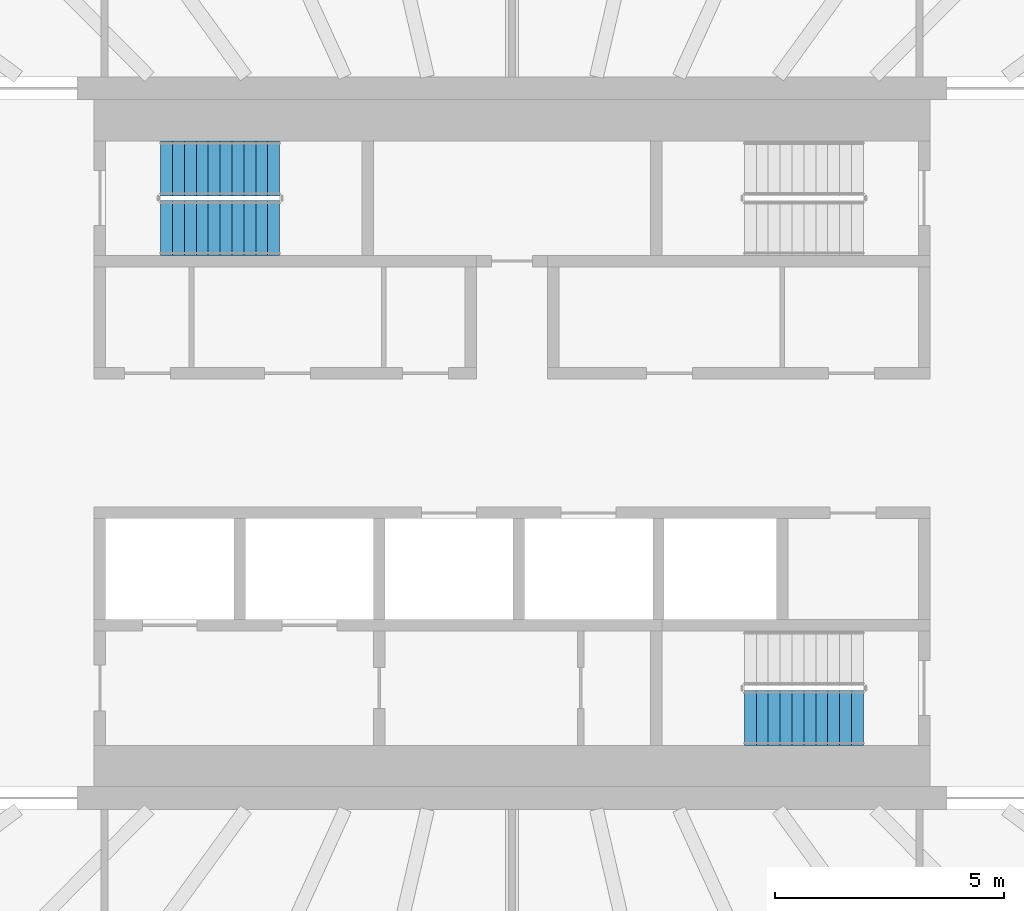
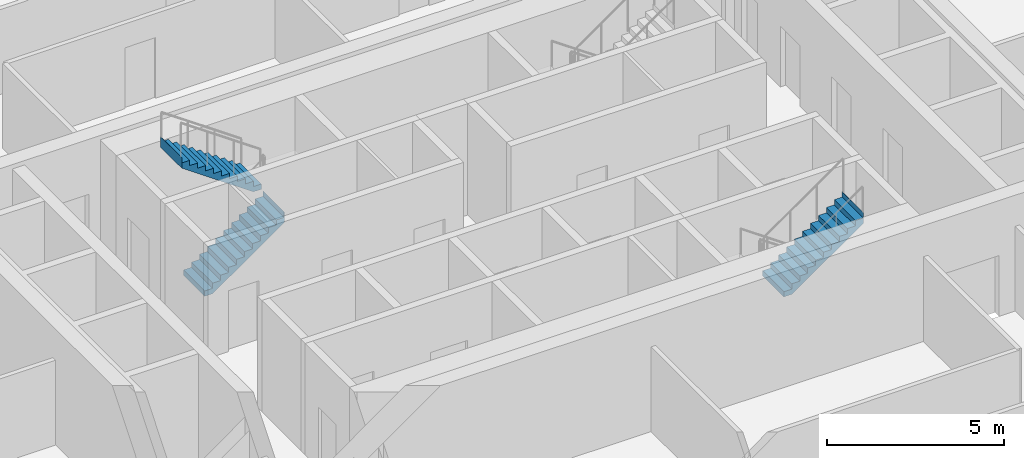
# One storey, part 16 of 23: 3 stair flights, 2 elements without a shape of their own.
"""IFC4 building model written with IfcOpenShell, lengths in metres."""

from ifc_helpers import new_model, si_unit, direction, frame, origin, place, context, subcontext, project, spatial, triangles, material, type_object, element, aggregate, save


model = new_model("IFC4")

# Units and contexts
model_context = context("Model", 3, precision=1e-05, world=origin(), true_north=direction((0.0, 1.0)))
body_context = subcontext(model_context, "Body", "Model", "MODEL_VIEW")
ifc_project = project(units=[si_unit("LENGTHUNIT", "METRE"), si_unit("AREAUNIT", "SQUARE_METRE"), si_unit("VOLUMEUNIT", "CUBIC_METRE"), si_unit("PLANEANGLEUNIT", "RADIAN"), si_unit("MASSUNIT", "GRAM", prefix="KILO")], contexts=[model_context])

# Site, building, storey
site_placement = place(None, origin())
site = spatial("IfcSite", under=ifc_project, at=site_placement, CompositionType="ELEMENT")
building_placement = place(site_placement, origin())
building = spatial("IfcBuilding", under=site, at=building_placement, Name="Sahrelin Media Tower", CompositionType="ELEMENT")
storey_placement = place(building_placement, frame((0.0, 0.0, 161.60009765625)))
storey = spatial("IfcBuildingStorey", under=building, at=storey_placement, Name="L33", CompositionType="ELEMENT", Elevation=161.60009765625)

# Stair, stair flights
ifc_material = material(Name="Concrete C40/50", Category="concrete")
stair_type = type_object("IfcStairType", Name="Exit stair 1200", PredefinedType="HALF_TURN_STAIR", material=ifc_material)
placement = place(storey_placement, origin())
stair_1 = element("IfcStair", 1, at=placement, inside=storey, type_object=stair_type, Name="L33 Exit stair ST1", PredefinedType="HALF_TURN_STAIR")
stair_flight_type = type_object("IfcStairFlightType", Name="Stair flight 1200", PredefinedType="STRAIGHT", material=ifc_material)
stair_flight_1_placement = place(storey_placement, frame((-7.675048828125, 4.699951171875, 0.0), z_axis=(0.0, 0.0, 1.0), x_axis=(1.0, 0.0, 0.0)))
stair_flight_1 = element("IfcStairFlight", 2, at=stair_flight_1_placement, type_object=stair_flight_type, Name="ST1 flight 1", NumberOfRisers=11, NumberOfTreads=10, PredefinedType="STRAIGHT", RiserHeight=0.181818182, TreadLength=0.26, context=body_context, shape_type="Tessellation", body=[
    triangles([(0.261474609375, 0.60009765625, 0.0), (0.261474609375, 0.300048828125, 0.0), (0.261474609375, 0.0, 0.0), (0.261474609375, -0.300048828125, 0.0), (0.261474609375, -0.60009765625, 0.0), (2.60009765625, 0.60009765625, 1.63525390625), (2.60009765625, 0.300048828125, 1.63525390625), (2.60009765625, 0.0, 1.63525390625), (2.60009765625, -0.300048828125, 1.63525390625), (2.60009765625, -0.60009765625, 1.63525390625), (2.60009765625, 0.60009765625, 2.0), (2.60009765625, 0.300048828125, 2.0), (2.60009765625, 0.0, 2.0), (2.60009765625, -0.300048828125, 2.0), (2.60009765625, -0.60009765625, 2.0), (2.597900390625, 0.60009765625, 2.0), (2.597900390625, 0.300048828125, 2.0), (2.597900390625, 0.0, 2.0), (2.597900390625, -0.300048828125, 2.0), (2.597900390625, -0.60009765625, 2.0), (2.597900390625, 0.60009765625, 1.818115234375), (2.597900390625, 0.300048828125, 1.818115234375), (2.597900390625, 0.0, 1.818115234375), (2.597900390625, -0.300048828125, 1.818115234375), (2.597900390625, -0.60009765625, 1.818115234375), (2.340087890625, 0.60009765625, 1.818115234375), (2.340087890625, 0.300048828125, 1.818115234375), (2.340087890625, 0.0, 1.818115234375), (2.340087890625, -0.300048828125, 1.818115234375), (2.340087890625, -0.60009765625, 1.818115234375), (2.340087890625, 0.60009765625, 1.636474609375), (2.340087890625, 0.300048828125, 1.636474609375), (2.340087890625, 0.0, 1.636474609375), (2.340087890625, -0.300048828125, 1.636474609375), (2.340087890625, -0.60009765625, 1.636474609375), (2.080078125, 0.60009765625, 1.636474609375), (2.080078125, 0.300048828125, 1.636474609375), (2.080078125, 0.0, 1.636474609375), (2.080078125, -0.300048828125, 1.636474609375), (2.080078125, -0.60009765625, 1.636474609375), (2.080078125, 0.60009765625, 1.45458984375), (2.080078125, 0.300048828125, 1.45458984375), (2.080078125, 0.0, 1.45458984375), (2.080078125, -0.300048828125, 1.45458984375), (2.080078125, -0.60009765625, 1.45458984375), (1.820068359375, 0.60009765625, 1.45458984375), (1.820068359375, 0.300048828125, 1.45458984375), (1.820068359375, 0.0, 1.45458984375), (1.820068359375, -0.300048828125, 1.45458984375), (1.820068359375, -0.60009765625, 1.45458984375), (1.820068359375, 0.60009765625, 1.272705078125), (1.820068359375, 0.300048828125, 1.272705078125), (1.820068359375, 0.0, 1.272705078125), (1.820068359375, -0.300048828125, 1.272705078125), (1.820068359375, -0.60009765625, 1.272705078125), (1.56005859375, 0.60009765625, 1.272705078125), (1.56005859375, 0.300048828125, 1.272705078125), (1.56005859375, 0.0, 1.272705078125), (1.56005859375, -0.300048828125, 1.272705078125), (1.56005859375, -0.60009765625, 1.272705078125), (1.56005859375, 0.60009765625, 1.0908203125), (1.56005859375, 0.300048828125, 1.0908203125), (1.56005859375, 0.0, 1.0908203125), (1.56005859375, -0.300048828125, 1.0908203125), (1.56005859375, -0.60009765625, 1.0908203125), (1.300048828125, 0.60009765625, 1.0908203125), (1.300048828125, 0.300048828125, 1.0908203125), (1.300048828125, 0.0, 1.0908203125), (1.300048828125, -0.300048828125, 1.0908203125), (1.300048828125, -0.60009765625, 1.0908203125), (1.300048828125, 0.60009765625, 0.9091796875), (1.300048828125, 0.300048828125, 0.9091796875), (1.300048828125, 0.0, 0.9091796875), (1.300048828125, -0.300048828125, 0.9091796875), (1.300048828125, -0.60009765625, 0.9091796875), (1.0400390625, 0.60009765625, 0.9091796875), (1.0400390625, 0.300048828125, 0.9091796875), (1.0400390625, 0.0, 0.9091796875), (1.0400390625, -0.300048828125, 0.9091796875), (1.0400390625, -0.60009765625, 0.9091796875), (1.0400390625, 0.60009765625, 0.727294921875), (1.0400390625, 0.300048828125, 0.727294921875), (1.0400390625, 0.0, 0.727294921875), (1.0400390625, -0.300048828125, 0.727294921875), (1.0400390625, -0.60009765625, 0.727294921875), (0.780029296875, 0.60009765625, 0.727294921875), (0.780029296875, 0.300048828125, 0.727294921875), (0.780029296875, 0.0, 0.727294921875), (0.780029296875, -0.300048828125, 0.727294921875), (0.780029296875, -0.60009765625, 0.727294921875), (0.780029296875, 0.60009765625, 0.54541015625), (0.780029296875, 0.300048828125, 0.54541015625), (0.780029296875, 0.0, 0.54541015625), (0.780029296875, -0.300048828125, 0.54541015625), (0.780029296875, -0.60009765625, 0.54541015625), (0.52001953125, 0.60009765625, 0.54541015625), (0.52001953125, 0.300048828125, 0.54541015625), (0.52001953125, 0.0, 0.54541015625), (0.52001953125, -0.300048828125, 0.54541015625), (0.52001953125, -0.60009765625, 0.54541015625), (0.52001953125, 0.60009765625, 0.363525390625), (0.52001953125, 0.300048828125, 0.363525390625), (0.52001953125, 0.0, 0.363525390625), (0.52001953125, -0.300048828125, 0.363525390625), (0.52001953125, -0.60009765625, 0.363525390625), (0.260009765625, 0.60009765625, 0.363525390625), (0.260009765625, 0.300048828125, 0.363525390625), (0.260009765625, 0.0, 0.363525390625), (0.260009765625, -0.300048828125, 0.363525390625), (0.260009765625, -0.60009765625, 0.363525390625), (0.260009765625, 0.60009765625, 0.181884765625), (0.260009765625, 0.300048828125, 0.181884765625), (0.260009765625, 0.0, 0.181884765625), (0.260009765625, -0.300048828125, 0.181884765625), (0.260009765625, -0.60009765625, 0.181884765625), (0.0, 0.60009765625, 0.181884765625), (0.0, 0.300048828125, 0.181884765625), (0.0, 0.0, 0.181884765625), (0.0, -0.300048828125, 0.181884765625), (0.0, -0.60009765625, 0.181884765625), (0.0, 0.60009765625, 0.0), (0.0, 0.300048828125, 0.0), (0.0, 0.0, 0.0), (0.0, -0.300048828125, 0.0), (0.0, -0.60009765625, 0.0)], [[1, 6, 7], [1, 7, 2], [2, 7, 8], [2, 8, 3], [3, 8, 9], [3, 9, 4], [4, 9, 10], [4, 10, 5], [6, 11, 12], [6, 12, 7], [7, 12, 13], [7, 13, 8], [8, 13, 14], [8, 14, 9], [9, 14, 15], [9, 15, 10], [11, 16, 17], [11, 17, 12], [12, 17, 18], [12, 18, 13], [13, 18, 19], [13, 19, 14], [14, 19, 20], [14, 20, 15], [16, 21, 22], [16, 22, 17], [17, 22, 23], [17, 23, 18], [18, 23, 24], [18, 24, 19], [19, 24, 25], [19, 25, 20], [21, 26, 27], [21, 27, 22], [22, 27, 28], [22, 28, 23], [23, 28, 29], [23, 29, 24], [24, 29, 30], [24, 30, 25], [26, 31, 32], [26, 32, 27], [27, 32, 33], [27, 33, 28], [28, 33, 34], [28, 34, 29], [29, 34, 35], [29, 35, 30], [31, 36, 37], [31, 37, 32], [32, 37, 38], [32, 38, 33], [33, 38, 39], [33, 39, 34], [34, 39, 40], [34, 40, 35], [36, 41, 42], [36, 42, 37], [37, 42, 43], [37, 43, 38], [38, 43, 44], [38, 44, 39], [39, 44, 45], [39, 45, 40], [41, 46, 47], [41, 47, 42], [42, 47, 48], [42, 48, 43], [43, 48, 49], [43, 49, 44], [44, 49, 50], [44, 50, 45], [46, 51, 52], [46, 52, 47], [47, 52, 53], [47, 53, 48], [48, 53, 54], [48, 54, 49], [49, 54, 55], [49, 55, 50], [51, 56, 57], [51, 57, 52], [52, 57, 58], [52, 58, 53], [53, 58, 59], [53, 59, 54], [54, 59, 60], [54, 60, 55], [56, 61, 62], [56, 62, 57], [57, 62, 63], [57, 63, 58], [58, 63, 64], [58, 64, 59], [59, 64, 65], [59, 65, 60], [61, 66, 67], [61, 67, 62], [62, 67, 68], [62, 68, 63], [63, 68, 69], [63, 69, 64], [64, 69, 70], [64, 70, 65], [66, 71, 72], [66, 72, 67], [67, 72, 73], [67, 73, 68], [68, 73, 74], [68, 74, 69], [69, 74, 75], [69, 75, 70], [71, 76, 77], [71, 77, 72], [72, 77, 78], [72, 78, 73], [73, 78, 79], [73, 79, 74], [74, 79, 80], [74, 80, 75], [76, 81, 82], [76, 82, 77], [77, 82, 83], [77, 83, 78], [78, 83, 84], [78, 84, 79], [79, 84, 85], [79, 85, 80], [81, 86, 87], [81, 87, 82], [82, 87, 88], [82, 88, 83], [83, 88, 89], [83, 89, 84], [84, 89, 90], [84, 90, 85], [86, 91, 92], [86, 92, 87], [87, 92, 93], [87, 93, 88], [88, 93, 94], [88, 94, 89], [89, 94, 95], [89, 95, 90], [91, 96, 97], [91, 97, 92], [92, 97, 98], [92, 98, 93], [93, 98, 99], [93, 99, 94], [94, 99, 100], [94, 100, 95], [96, 101, 102], [96, 102, 97], [97, 102, 103], [97, 103, 98], [98, 103, 104], [98, 104, 99], [99, 104, 105], [99, 105, 100], [101, 106, 107], [101, 107, 102], [102, 107, 108], [102, 108, 103], [103, 108, 109], [103, 109, 104], [104, 109, 110], [104, 110, 105], [106, 111, 112], [106, 112, 107], [107, 112, 113], [107, 113, 108], [108, 113, 114], [108, 114, 109], [109, 114, 115], [109, 115, 110], [111, 116, 117], [111, 117, 112], [112, 117, 118], [112, 118, 113], [113, 118, 119], [113, 119, 114], [114, 119, 120], [114, 120, 115], [116, 121, 122], [116, 122, 117], [117, 122, 123], [117, 123, 118], [118, 123, 124], [118, 124, 119], [119, 124, 125], [119, 125, 120], [121, 1, 2], [121, 2, 122], [122, 2, 3], [122, 3, 123], [123, 3, 4], [123, 4, 124], [124, 4, 5], [124, 5, 125], [115, 120, 125], [111, 121, 116], [115, 105, 110], [111, 106, 101], [105, 95, 100], [101, 96, 91], [95, 85, 90], [91, 86, 81], [85, 75, 80], [81, 76, 71], [75, 65, 70], [71, 66, 61], [65, 55, 60], [61, 56, 51], [55, 45, 50], [51, 46, 41], [45, 35, 40], [41, 36, 31], [35, 25, 30], [31, 26, 21], [25, 15, 20], [21, 16, 11], [125, 5, 115], [121, 111, 1], [25, 10, 15], [21, 11, 6], [105, 115, 5], [101, 1, 111], [35, 10, 25], [31, 21, 6], [95, 105, 5], [91, 1, 101], [45, 10, 35], [41, 31, 6], [85, 95, 5], [81, 1, 91], [55, 10, 45], [51, 41, 6], [75, 85, 5], [71, 1, 81], [65, 10, 55], [61, 51, 6], [5, 10, 75], [1, 71, 6], [75, 10, 65], [71, 61, 6]], closed=True),
])
stair_flight_2_placement = place(storey_placement, frame((-5.074951171875, 6.0, 2.0), z_axis=(0.0, 0.0, 1.0), x_axis=(-1.0, 0.0, 0.0)))
stair_flight_2 = element("IfcStairFlight", 3, at=stair_flight_2_placement, type_object=stair_flight_type, Name="ST1 flight 2", NumberOfRisers=11, NumberOfTreads=10, PredefinedType="STRAIGHT", RiserHeight=0.181818182, TreadLength=0.26, context=body_context, shape_type="Tessellation", body=[
    triangles([(0.261474609375, 0.60009765625, 0.0), (0.261474609375, 0.300048828125, 0.0), (0.261474609375, 0.0, 0.0), (0.261474609375, -0.300048828125, 0.0), (0.261474609375, -0.60009765625, 0.0), (2.60009765625, 0.60009765625, 1.63525390625), (2.60009765625, 0.300048828125, 1.63525390625), (2.60009765625, 0.0, 1.63525390625), (2.60009765625, -0.300048828125, 1.63525390625), (2.60009765625, -0.60009765625, 1.63525390625), (2.60009765625, 0.60009765625, 2.0), (2.60009765625, 0.300048828125, 2.0), (2.60009765625, 0.0, 2.0), (2.60009765625, -0.300048828125, 2.0), (2.60009765625, -0.60009765625, 2.0), (2.597900390625, 0.60009765625, 2.0), (2.597900390625, 0.300048828125, 2.0), (2.597900390625, 0.0, 2.0), (2.597900390625, -0.300048828125, 2.0), (2.597900390625, -0.60009765625, 2.0), (2.597900390625, 0.60009765625, 1.818115234375), (2.597900390625, 0.300048828125, 1.818115234375), (2.597900390625, 0.0, 1.818115234375), (2.597900390625, -0.300048828125, 1.818115234375), (2.597900390625, -0.60009765625, 1.818115234375), (2.340087890625, 0.60009765625, 1.818115234375), (2.340087890625, 0.300048828125, 1.818115234375), (2.340087890625, 0.0, 1.818115234375), (2.340087890625, -0.300048828125, 1.818115234375), (2.340087890625, -0.60009765625, 1.818115234375), (2.340087890625, 0.60009765625, 1.636474609375), (2.340087890625, 0.300048828125, 1.636474609375), (2.340087890625, 0.0, 1.636474609375), (2.340087890625, -0.300048828125, 1.636474609375), (2.340087890625, -0.60009765625, 1.636474609375), (2.080078125, 0.60009765625, 1.636474609375), (2.080078125, 0.300048828125, 1.636474609375), (2.080078125, 0.0, 1.636474609375), (2.080078125, -0.300048828125, 1.636474609375), (2.080078125, -0.60009765625, 1.636474609375), (2.080078125, 0.60009765625, 1.45458984375), (2.080078125, 0.300048828125, 1.45458984375), (2.080078125, 0.0, 1.45458984375), (2.080078125, -0.300048828125, 1.45458984375), (2.080078125, -0.60009765625, 1.45458984375), (1.820068359375, 0.60009765625, 1.45458984375), (1.820068359375, 0.300048828125, 1.45458984375), (1.820068359375, 0.0, 1.45458984375), (1.820068359375, -0.300048828125, 1.45458984375), (1.820068359375, -0.60009765625, 1.45458984375), (1.820068359375, 0.60009765625, 1.272705078125), (1.820068359375, 0.300048828125, 1.272705078125), (1.820068359375, 0.0, 1.272705078125), (1.820068359375, -0.300048828125, 1.272705078125), (1.820068359375, -0.60009765625, 1.272705078125), (1.56005859375, 0.60009765625, 1.272705078125), (1.56005859375, 0.300048828125, 1.272705078125), (1.56005859375, 0.0, 1.272705078125), (1.56005859375, -0.300048828125, 1.272705078125), (1.56005859375, -0.60009765625, 1.272705078125), (1.56005859375, 0.60009765625, 1.0908203125), (1.56005859375, 0.300048828125, 1.0908203125), (1.56005859375, 0.0, 1.0908203125), (1.56005859375, -0.300048828125, 1.0908203125), (1.56005859375, -0.60009765625, 1.0908203125), (1.300048828125, 0.60009765625, 1.0908203125), (1.300048828125, 0.300048828125, 1.0908203125), (1.300048828125, 0.0, 1.0908203125), (1.300048828125, -0.300048828125, 1.0908203125), (1.300048828125, -0.60009765625, 1.0908203125), (1.300048828125, 0.60009765625, 0.9091796875), (1.300048828125, 0.300048828125, 0.9091796875), (1.300048828125, 0.0, 0.9091796875), (1.300048828125, -0.300048828125, 0.9091796875), (1.300048828125, -0.60009765625, 0.9091796875), (1.0400390625, 0.60009765625, 0.9091796875), (1.0400390625, 0.300048828125, 0.9091796875), (1.0400390625, 0.0, 0.9091796875), (1.0400390625, -0.300048828125, 0.9091796875), (1.0400390625, -0.60009765625, 0.9091796875), (1.0400390625, 0.60009765625, 0.727294921875), (1.0400390625, 0.300048828125, 0.727294921875), (1.0400390625, 0.0, 0.727294921875), (1.0400390625, -0.300048828125, 0.727294921875), (1.0400390625, -0.60009765625, 0.727294921875), (0.780029296875, 0.60009765625, 0.727294921875), (0.780029296875, 0.300048828125, 0.727294921875), (0.780029296875, 0.0, 0.727294921875), (0.780029296875, -0.300048828125, 0.727294921875), (0.780029296875, -0.60009765625, 0.727294921875), (0.780029296875, 0.60009765625, 0.54541015625), (0.780029296875, 0.300048828125, 0.54541015625), (0.780029296875, 0.0, 0.54541015625), (0.780029296875, -0.300048828125, 0.54541015625), (0.780029296875, -0.60009765625, 0.54541015625), (0.52001953125, 0.60009765625, 0.54541015625), (0.52001953125, 0.300048828125, 0.54541015625), (0.52001953125, 0.0, 0.54541015625), (0.52001953125, -0.300048828125, 0.54541015625), (0.52001953125, -0.60009765625, 0.54541015625), (0.52001953125, 0.60009765625, 0.363525390625), (0.52001953125, 0.300048828125, 0.363525390625), (0.52001953125, 0.0, 0.363525390625), (0.52001953125, -0.300048828125, 0.363525390625), (0.52001953125, -0.60009765625, 0.363525390625), (0.260009765625, 0.60009765625, 0.363525390625), (0.260009765625, 0.300048828125, 0.363525390625), (0.260009765625, 0.0, 0.363525390625), (0.260009765625, -0.300048828125, 0.363525390625), (0.260009765625, -0.60009765625, 0.363525390625), (0.260009765625, 0.60009765625, 0.181884765625), (0.260009765625, 0.300048828125, 0.181884765625), (0.260009765625, 0.0, 0.181884765625), (0.260009765625, -0.300048828125, 0.181884765625), (0.260009765625, -0.60009765625, 0.181884765625), (0.0, 0.60009765625, 0.181884765625), (0.0, 0.300048828125, 0.181884765625), (0.0, 0.0, 0.181884765625), (0.0, -0.300048828125, 0.181884765625), (0.0, -0.60009765625, 0.181884765625), (0.0, 0.60009765625, 0.0), (0.0, 0.300048828125, 0.0), (0.0, 0.0, 0.0), (0.0, -0.300048828125, 0.0), (0.0, -0.60009765625, 0.0)], [[1, 6, 7], [1, 7, 2], [2, 7, 8], [2, 8, 3], [3, 8, 9], [3, 9, 4], [4, 9, 10], [4, 10, 5], [6, 11, 12], [6, 12, 7], [7, 12, 13], [7, 13, 8], [8, 13, 14], [8, 14, 9], [9, 14, 15], [9, 15, 10], [11, 16, 17], [11, 17, 12], [12, 17, 18], [12, 18, 13], [13, 18, 19], [13, 19, 14], [14, 19, 20], [14, 20, 15], [16, 21, 22], [16, 22, 17], [17, 22, 23], [17, 23, 18], [18, 23, 24], [18, 24, 19], [19, 24, 25], [19, 25, 20], [21, 26, 27], [21, 27, 22], [22, 27, 28], [22, 28, 23], [23, 28, 29], [23, 29, 24], [24, 29, 30], [24, 30, 25], [26, 31, 32], [26, 32, 27], [27, 32, 33], [27, 33, 28], [28, 33, 34], [28, 34, 29], [29, 34, 35], [29, 35, 30], [31, 36, 37], [31, 37, 32], [32, 37, 38], [32, 38, 33], [33, 38, 39], [33, 39, 34], [34, 39, 40], [34, 40, 35], [36, 41, 42], [36, 42, 37], [37, 42, 43], [37, 43, 38], [38, 43, 44], [38, 44, 39], [39, 44, 45], [39, 45, 40], [41, 46, 47], [41, 47, 42], [42, 47, 48], [42, 48, 43], [43, 48, 49], [43, 49, 44], [44, 49, 50], [44, 50, 45], [46, 51, 52], [46, 52, 47], [47, 52, 53], [47, 53, 48], [48, 53, 54], [48, 54, 49], [49, 54, 55], [49, 55, 50], [51, 56, 57], [51, 57, 52], [52, 57, 58], [52, 58, 53], [53, 58, 59], [53, 59, 54], [54, 59, 60], [54, 60, 55], [56, 61, 62], [56, 62, 57], [57, 62, 63], [57, 63, 58], [58, 63, 64], [58, 64, 59], [59, 64, 65], [59, 65, 60], [61, 66, 67], [61, 67, 62], [62, 67, 68], [62, 68, 63], [63, 68, 69], [63, 69, 64], [64, 69, 70], [64, 70, 65], [66, 71, 72], [66, 72, 67], [67, 72, 73], [67, 73, 68], [68, 73, 74], [68, 74, 69], [69, 74, 75], [69, 75, 70], [71, 76, 77], [71, 77, 72], [72, 77, 78], [72, 78, 73], [73, 78, 79], [73, 79, 74], [74, 79, 80], [74, 80, 75], [76, 81, 82], [76, 82, 77], [77, 82, 83], [77, 83, 78], [78, 83, 84], [78, 84, 79], [79, 84, 85], [79, 85, 80], [81, 86, 87], [81, 87, 82], [82, 87, 88], [82, 88, 83], [83, 88, 89], [83, 89, 84], [84, 89, 90], [84, 90, 85], [86, 91, 92], [86, 92, 87], [87, 92, 93], [87, 93, 88], [88, 93, 94], [88, 94, 89], [89, 94, 95], [89, 95, 90], [91, 96, 97], [91, 97, 92], [92, 97, 98], [92, 98, 93], [93, 98, 99], [93, 99, 94], [94, 99, 100], [94, 100, 95], [96, 101, 102], [96, 102, 97], [97, 102, 103], [97, 103, 98], [98, 103, 104], [98, 104, 99], [99, 104, 105], [99, 105, 100], [101, 106, 107], [101, 107, 102], [102, 107, 108], [102, 108, 103], [103, 108, 109], [103, 109, 104], [104, 109, 110], [104, 110, 105], [106, 111, 112], [106, 112, 107], [107, 112, 113], [107, 113, 108], [108, 113, 114], [108, 114, 109], [109, 114, 115], [109, 115, 110], [111, 116, 117], [111, 117, 112], [112, 117, 118], [112, 118, 113], [113, 118, 119], [113, 119, 114], [114, 119, 120], [114, 120, 115], [116, 121, 122], [116, 122, 117], [117, 122, 123], [117, 123, 118], [118, 123, 124], [118, 124, 119], [119, 124, 125], [119, 125, 120], [121, 1, 2], [121, 2, 122], [122, 2, 3], [122, 3, 123], [123, 3, 4], [123, 4, 124], [124, 4, 5], [124, 5, 125], [115, 120, 125], [111, 121, 116], [115, 105, 110], [111, 106, 101], [105, 95, 100], [101, 96, 91], [95, 85, 90], [91, 86, 81], [85, 75, 80], [81, 76, 71], [75, 65, 70], [71, 66, 61], [65, 55, 60], [61, 56, 51], [55, 45, 50], [51, 46, 41], [45, 35, 40], [41, 36, 31], [35, 25, 30], [31, 26, 21], [25, 15, 20], [21, 16, 11], [125, 5, 115], [121, 111, 1], [25, 10, 15], [21, 11, 6], [105, 115, 5], [101, 1, 111], [35, 10, 25], [31, 21, 6], [95, 105, 5], [91, 1, 101], [45, 10, 35], [41, 31, 6], [85, 95, 5], [81, 1, 91], [55, 10, 45], [51, 41, 6], [75, 85, 5], [71, 1, 81], [65, 10, 55], [61, 51, 6], [5, 10, 75], [1, 71, 6], [75, 10, 65], [71, 61, 6]], closed=True),
])
aggregate(stair_1, [stair_flight_1, stair_flight_2])

# Stair, stair flight
stair_2 = element("IfcStair", 4, at=placement, inside=storey, type_object=stair_type, Name="L33 Exit stair ST2", PredefinedType="HALF_TURN_STAIR")
stair_flight_3_placement = place(storey_placement, frame((5.074951171875, -6.0, 2.0), z_axis=(0.0, 0.0, 1.0), x_axis=(1.0, 0.0, 0.0)))
stair_flight_3 = element("IfcStairFlight", 5, at=stair_flight_3_placement, type_object=stair_flight_type, Name="ST2 flight 2", NumberOfRisers=11, NumberOfTreads=10, PredefinedType="STRAIGHT", RiserHeight=0.181818182, TreadLength=0.26, context=body_context, shape_type="Tessellation", body=[
    triangles([(0.261474609375, 0.60009765625, 0.0), (0.261474609375, 0.300048828125, 0.0), (0.261474609375, 0.0, 0.0), (0.261474609375, -0.300048828125, 0.0), (0.261474609375, -0.60009765625, 0.0), (2.60009765625, 0.60009765625, 1.63525390625), (2.60009765625, 0.300048828125, 1.63525390625), (2.60009765625, 0.0, 1.63525390625), (2.60009765625, -0.300048828125, 1.63525390625), (2.60009765625, -0.60009765625, 1.63525390625), (2.60009765625, 0.60009765625, 2.0), (2.60009765625, 0.300048828125, 2.0), (2.60009765625, 0.0, 2.0), (2.60009765625, -0.300048828125, 2.0), (2.60009765625, -0.60009765625, 2.0), (2.597900390625, 0.60009765625, 2.0), (2.597900390625, 0.300048828125, 2.0), (2.597900390625, 0.0, 2.0), (2.597900390625, -0.300048828125, 2.0), (2.597900390625, -0.60009765625, 2.0), (2.597900390625, 0.60009765625, 1.818115234375), (2.597900390625, 0.300048828125, 1.818115234375), (2.597900390625, 0.0, 1.818115234375), (2.597900390625, -0.300048828125, 1.818115234375), (2.597900390625, -0.60009765625, 1.818115234375), (2.340087890625, 0.60009765625, 1.818115234375), (2.340087890625, 0.300048828125, 1.818115234375), (2.340087890625, 0.0, 1.818115234375), (2.340087890625, -0.300048828125, 1.818115234375), (2.340087890625, -0.60009765625, 1.818115234375), (2.340087890625, 0.60009765625, 1.636474609375), (2.340087890625, 0.300048828125, 1.636474609375), (2.340087890625, 0.0, 1.636474609375), (2.340087890625, -0.300048828125, 1.636474609375), (2.340087890625, -0.60009765625, 1.636474609375), (2.080078125, 0.60009765625, 1.636474609375), (2.080078125, 0.300048828125, 1.636474609375), (2.080078125, 0.0, 1.636474609375), (2.080078125, -0.300048828125, 1.636474609375), (2.080078125, -0.60009765625, 1.636474609375), (2.080078125, 0.60009765625, 1.45458984375), (2.080078125, 0.300048828125, 1.45458984375), (2.080078125, 0.0, 1.45458984375), (2.080078125, -0.300048828125, 1.45458984375), (2.080078125, -0.60009765625, 1.45458984375), (1.820068359375, 0.60009765625, 1.45458984375), (1.820068359375, 0.300048828125, 1.45458984375), (1.820068359375, 0.0, 1.45458984375), (1.820068359375, -0.300048828125, 1.45458984375), (1.820068359375, -0.60009765625, 1.45458984375), (1.820068359375, 0.60009765625, 1.272705078125), (1.820068359375, 0.300048828125, 1.272705078125), (1.820068359375, 0.0, 1.272705078125), (1.820068359375, -0.300048828125, 1.272705078125), (1.820068359375, -0.60009765625, 1.272705078125), (1.56005859375, 0.60009765625, 1.272705078125), (1.56005859375, 0.300048828125, 1.272705078125), (1.56005859375, 0.0, 1.272705078125), (1.56005859375, -0.300048828125, 1.272705078125), (1.56005859375, -0.60009765625, 1.272705078125), (1.56005859375, 0.60009765625, 1.0908203125), (1.56005859375, 0.300048828125, 1.0908203125), (1.56005859375, 0.0, 1.0908203125), (1.56005859375, -0.300048828125, 1.0908203125), (1.56005859375, -0.60009765625, 1.0908203125), (1.300048828125, 0.60009765625, 1.0908203125), (1.300048828125, 0.300048828125, 1.0908203125), (1.300048828125, 0.0, 1.0908203125), (1.300048828125, -0.300048828125, 1.0908203125), (1.300048828125, -0.60009765625, 1.0908203125), (1.300048828125, 0.60009765625, 0.9091796875), (1.300048828125, 0.300048828125, 0.9091796875), (1.300048828125, 0.0, 0.9091796875), (1.300048828125, -0.300048828125, 0.9091796875), (1.300048828125, -0.60009765625, 0.9091796875), (1.0400390625, 0.60009765625, 0.9091796875), (1.0400390625, 0.300048828125, 0.9091796875), (1.0400390625, 0.0, 0.9091796875), (1.0400390625, -0.300048828125, 0.9091796875), (1.0400390625, -0.60009765625, 0.9091796875), (1.0400390625, 0.60009765625, 0.727294921875), (1.0400390625, 0.300048828125, 0.727294921875), (1.0400390625, 0.0, 0.727294921875), (1.0400390625, -0.300048828125, 0.727294921875), (1.0400390625, -0.60009765625, 0.727294921875), (0.780029296875, 0.60009765625, 0.727294921875), (0.780029296875, 0.300048828125, 0.727294921875), (0.780029296875, 0.0, 0.727294921875), (0.780029296875, -0.300048828125, 0.727294921875), (0.780029296875, -0.60009765625, 0.727294921875), (0.780029296875, 0.60009765625, 0.54541015625), (0.780029296875, 0.300048828125, 0.54541015625), (0.780029296875, 0.0, 0.54541015625), (0.780029296875, -0.300048828125, 0.54541015625), (0.780029296875, -0.60009765625, 0.54541015625), (0.52001953125, 0.60009765625, 0.54541015625), (0.52001953125, 0.300048828125, 0.54541015625), (0.52001953125, 0.0, 0.54541015625), (0.52001953125, -0.300048828125, 0.54541015625), (0.52001953125, -0.60009765625, 0.54541015625), (0.52001953125, 0.60009765625, 0.363525390625), (0.52001953125, 0.300048828125, 0.363525390625), (0.52001953125, 0.0, 0.363525390625), (0.52001953125, -0.300048828125, 0.363525390625), (0.52001953125, -0.60009765625, 0.363525390625), (0.260009765625, 0.60009765625, 0.363525390625), (0.260009765625, 0.300048828125, 0.363525390625), (0.260009765625, 0.0, 0.363525390625), (0.260009765625, -0.300048828125, 0.363525390625), (0.260009765625, -0.60009765625, 0.363525390625), (0.260009765625, 0.60009765625, 0.181884765625), (0.260009765625, 0.300048828125, 0.181884765625), (0.260009765625, 0.0, 0.181884765625), (0.260009765625, -0.300048828125, 0.181884765625), (0.260009765625, -0.60009765625, 0.181884765625), (0.0, 0.60009765625, 0.181884765625), (0.0, 0.300048828125, 0.181884765625), (0.0, 0.0, 0.181884765625), (0.0, -0.300048828125, 0.181884765625), (0.0, -0.60009765625, 0.181884765625), (0.0, 0.60009765625, 0.0), (0.0, 0.300048828125, 0.0), (0.0, 0.0, 0.0), (0.0, -0.300048828125, 0.0), (0.0, -0.60009765625, 0.0)], [[1, 6, 7], [1, 7, 2], [2, 7, 8], [2, 8, 3], [3, 8, 9], [3, 9, 4], [4, 9, 10], [4, 10, 5], [6, 11, 12], [6, 12, 7], [7, 12, 13], [7, 13, 8], [8, 13, 14], [8, 14, 9], [9, 14, 15], [9, 15, 10], [11, 16, 17], [11, 17, 12], [12, 17, 18], [12, 18, 13], [13, 18, 19], [13, 19, 14], [14, 19, 20], [14, 20, 15], [16, 21, 22], [16, 22, 17], [17, 22, 23], [17, 23, 18], [18, 23, 24], [18, 24, 19], [19, 24, 25], [19, 25, 20], [21, 26, 27], [21, 27, 22], [22, 27, 28], [22, 28, 23], [23, 28, 29], [23, 29, 24], [24, 29, 30], [24, 30, 25], [26, 31, 32], [26, 32, 27], [27, 32, 33], [27, 33, 28], [28, 33, 34], [28, 34, 29], [29, 34, 35], [29, 35, 30], [31, 36, 37], [31, 37, 32], [32, 37, 38], [32, 38, 33], [33, 38, 39], [33, 39, 34], [34, 39, 40], [34, 40, 35], [36, 41, 42], [36, 42, 37], [37, 42, 43], [37, 43, 38], [38, 43, 44], [38, 44, 39], [39, 44, 45], [39, 45, 40], [41, 46, 47], [41, 47, 42], [42, 47, 48], [42, 48, 43], [43, 48, 49], [43, 49, 44], [44, 49, 50], [44, 50, 45], [46, 51, 52], [46, 52, 47], [47, 52, 53], [47, 53, 48], [48, 53, 54], [48, 54, 49], [49, 54, 55], [49, 55, 50], [51, 56, 57], [51, 57, 52], [52, 57, 58], [52, 58, 53], [53, 58, 59], [53, 59, 54], [54, 59, 60], [54, 60, 55], [56, 61, 62], [56, 62, 57], [57, 62, 63], [57, 63, 58], [58, 63, 64], [58, 64, 59], [59, 64, 65], [59, 65, 60], [61, 66, 67], [61, 67, 62], [62, 67, 68], [62, 68, 63], [63, 68, 69], [63, 69, 64], [64, 69, 70], [64, 70, 65], [66, 71, 72], [66, 72, 67], [67, 72, 73], [67, 73, 68], [68, 73, 74], [68, 74, 69], [69, 74, 75], [69, 75, 70], [71, 76, 77], [71, 77, 72], [72, 77, 78], [72, 78, 73], [73, 78, 79], [73, 79, 74], [74, 79, 80], [74, 80, 75], [76, 81, 82], [76, 82, 77], [77, 82, 83], [77, 83, 78], [78, 83, 84], [78, 84, 79], [79, 84, 85], [79, 85, 80], [81, 86, 87], [81, 87, 82], [82, 87, 88], [82, 88, 83], [83, 88, 89], [83, 89, 84], [84, 89, 90], [84, 90, 85], [86, 91, 92], [86, 92, 87], [87, 92, 93], [87, 93, 88], [88, 93, 94], [88, 94, 89], [89, 94, 95], [89, 95, 90], [91, 96, 97], [91, 97, 92], [92, 97, 98], [92, 98, 93], [93, 98, 99], [93, 99, 94], [94, 99, 100], [94, 100, 95], [96, 101, 102], [96, 102, 97], [97, 102, 103], [97, 103, 98], [98, 103, 104], [98, 104, 99], [99, 104, 105], [99, 105, 100], [101, 106, 107], [101, 107, 102], [102, 107, 108], [102, 108, 103], [103, 108, 109], [103, 109, 104], [104, 109, 110], [104, 110, 105], [106, 111, 112], [106, 112, 107], [107, 112, 113], [107, 113, 108], [108, 113, 114], [108, 114, 109], [109, 114, 115], [109, 115, 110], [111, 116, 117], [111, 117, 112], [112, 117, 118], [112, 118, 113], [113, 118, 119], [113, 119, 114], [114, 119, 120], [114, 120, 115], [116, 121, 122], [116, 122, 117], [117, 122, 123], [117, 123, 118], [118, 123, 124], [118, 124, 119], [119, 124, 125], [119, 125, 120], [121, 1, 2], [121, 2, 122], [122, 2, 3], [122, 3, 123], [123, 3, 4], [123, 4, 124], [124, 4, 5], [124, 5, 125], [115, 120, 125], [111, 121, 116], [115, 105, 110], [111, 106, 101], [105, 95, 100], [101, 96, 91], [95, 85, 90], [91, 86, 81], [85, 75, 80], [81, 76, 71], [75, 65, 70], [71, 66, 61], [65, 55, 60], [61, 56, 51], [55, 45, 50], [51, 46, 41], [45, 35, 40], [41, 36, 31], [35, 25, 30], [31, 26, 21], [25, 15, 20], [21, 16, 11], [125, 5, 115], [121, 111, 1], [25, 10, 15], [21, 11, 6], [105, 115, 5], [101, 1, 111], [35, 10, 25], [31, 21, 6], [95, 105, 5], [91, 1, 101], [45, 10, 35], [41, 31, 6], [85, 95, 5], [81, 1, 91], [55, 10, 45], [51, 41, 6], [75, 85, 5], [71, 1, 81], [65, 10, 55], [61, 51, 6], [5, 10, 75], [1, 71, 6], [75, 10, 65], [71, 61, 6]], closed=True),
])
aggregate(stair_2, [stair_flight_3])

save(model, "model.ifc")
